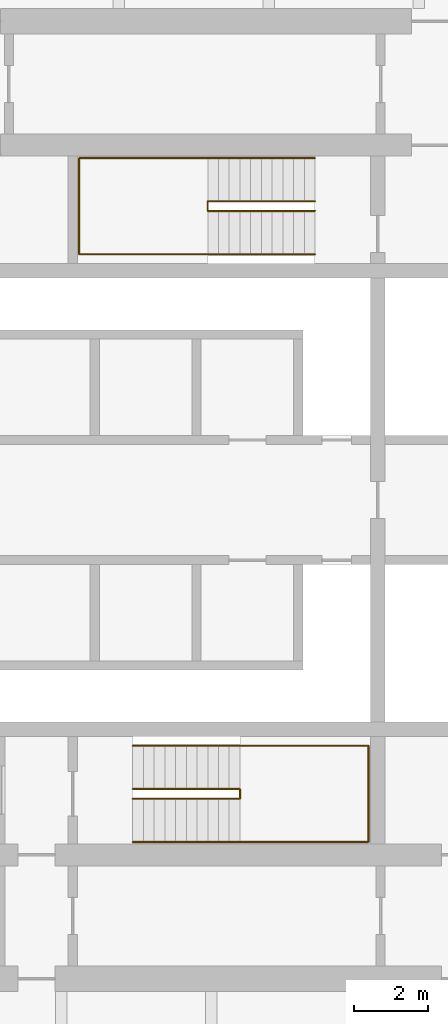
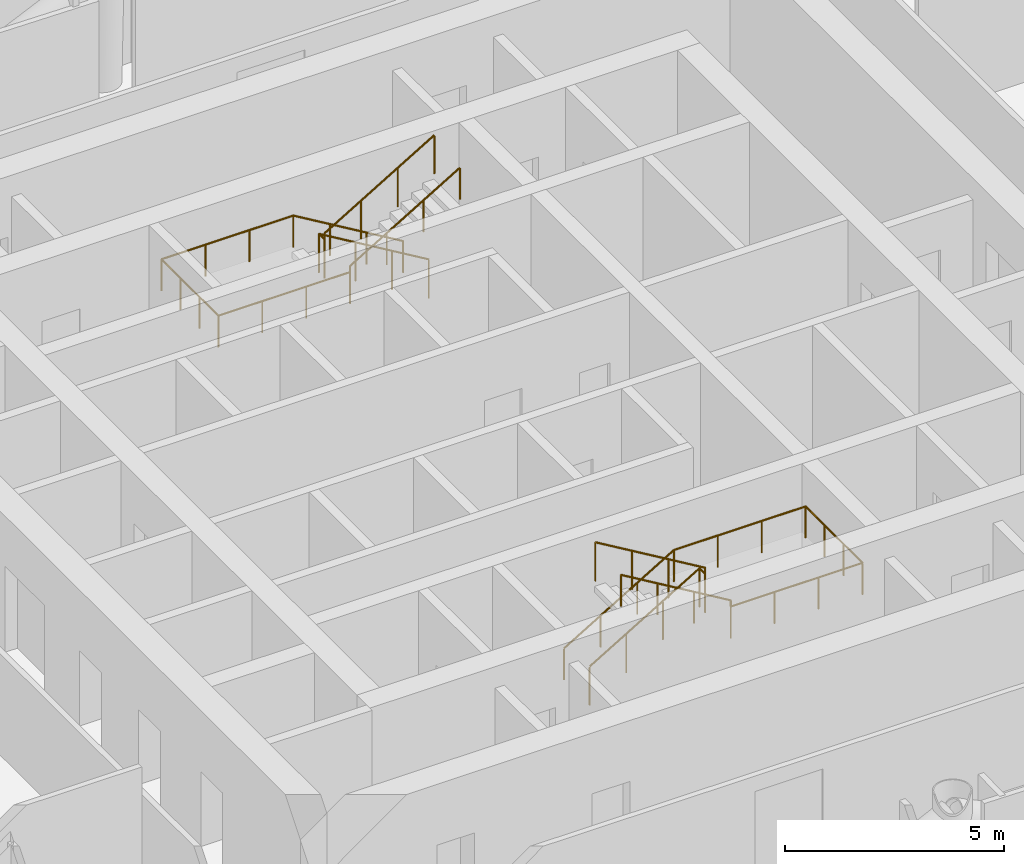
# One storey, part 9 of 9: 4 railings.
"""IFC4 building model written with IfcOpenShell, lengths in metres."""

from ifc_helpers import new_model, si_unit, direction, frame, origin, origin_2d, place, context, subcontext, project, spatial, circle, extrude, material, type_object, element, save


model = new_model("IFC4")

# Units and contexts
model_context = context("Model", 3, precision=1e-05, world=origin(), true_north=direction((0.0, 1.0)))
body_context = subcontext(model_context, "Body", "Model", "MODEL_VIEW")
ifc_project = project(units=[si_unit("LENGTHUNIT", "METRE"), si_unit("AREAUNIT", "SQUARE_METRE"), si_unit("VOLUMEUNIT", "CUBIC_METRE"), si_unit("PLANEANGLEUNIT", "RADIAN"), si_unit("MASSUNIT", "GRAM", prefix="KILO")], contexts=[model_context])

# Site, building, storey
site_placement = place(None, origin())
site = spatial("IfcSite", under=ifc_project, at=site_placement, CompositionType="ELEMENT")
building_placement = place(site_placement, origin())
building = spatial("IfcBuilding", under=site, at=building_placement, Name="Ostroluk Exchange", CompositionType="ELEMENT")
storey_placement = place(building_placement, frame((0.0, 0.0, 161.60009765625)))
storey = spatial("IfcBuildingStorey", under=building, at=storey_placement, Name="L41", CompositionType="ELEMENT", Elevation=161.60009765625)

# Railings
ifc_material_1 = material(Name="Steel S355", Category="steel")
railing_type_1 = type_object("IfcRailingType", Name="Stair guard 1100", PredefinedType="GUARDRAIL", material=ifc_material_1)
railing_1_placement = place(storey_placement, frame((42.10009765625, 38.179931640625, 0.172607421875)))
element("IfcRailing", 1, at=railing_1_placement, inside=storey, type_object=railing_type_1, Name="Stair T1-S1 guard L41", PredefinedType="GUARDRAIL", context=body_context, shape_type="SweptSolid", body=[
    extrude(circle(Radius=0.02392578125, at=origin_2d()), frame((0.0, 0.0, 1.076171875), z_axis=(0.859141464434, 0.0, 0.511738159696), x_axis=(0.0, 1.0, 0.0)), (0.0, 0.0, 1.0), 3.375244140625),
    extrude(circle(Radius=0.02392578125, at=origin_2d()), frame((2.89990234375, 0.0, 2.80322265625), z_axis=(0.0, -1.0, 0.0), x_axis=(1.0, 0.0, 0.0)), (0.0, 0.0, 1.0), 0.260009765625),
    extrude(circle(Radius=0.02392578125, at=origin_2d()), frame((2.89990234375, -0.260009765625, 2.80322265625), z_axis=(0.0, 0.0, 1.0), x_axis=(1.0, 0.0, 0.0)), (0.0, 0.0, 1.0), 0.172607421875),
    extrude(circle(Radius=0.02392578125, at=origin_2d()), frame((2.89990234375, -0.260009765625, 2.97607421875), z_axis=(-0.859141464434, 0.0, 0.511738159696), x_axis=(0.0, -1.0, 0.0)), (0.0, 0.0, 1.0), 3.375244140625),
    extrude(circle(Radius=0.02099609375, at=origin_2d()), origin(), (0.0, 0.0, 1.0), 1.052001953125),
    extrude(circle(Radius=0.02099609375, at=origin_2d()), frame((0.966552734375, 0.0, 0.57568359375)), (0.0, 0.0, 1.0), 1.052001953125),
    extrude(circle(Radius=0.02099609375, at=origin_2d()), frame((1.933349609375, 0.0, 1.151611328125)), (0.0, 0.0, 1.0), 1.052001953125),
    extrude(circle(Radius=0.02099609375, at=origin_2d()), frame((2.89990234375, 0.0, 1.727294921875)), (0.0, 0.0, 1.0), 1.052001953125),
    extrude(circle(Radius=0.02099609375, at=origin_2d()), frame((2.89990234375, -0.260009765625, 1.727294921875)), (0.0, 0.0, 1.0), 1.052001953125),
    extrude(circle(Radius=0.02099609375, at=origin_2d()), frame((2.89990234375, -0.260009765625, 1.89990234375)), (0.0, 0.0, 1.0), 1.052001953125),
    extrude(circle(Radius=0.02099609375, at=origin_2d()), frame((1.933349609375, -0.260009765625, 2.4755859375)), (0.0, 0.0, 1.0), 1.052001953125),
    extrude(circle(Radius=0.02099609375, at=origin_2d()), frame((0.966552734375, -0.260009765625, 3.051513671875)), (0.0, 0.0, 1.0), 1.052001953125),
    extrude(circle(Radius=0.02099609375, at=origin_2d()), frame((0.0, -0.260009765625, 3.627197265625)), (0.0, 0.0, 1.0), 1.052001953125),
])
railing_2_placement = place(storey_placement, frame((47.030029296875, 54.080078125, 0.172607421875)))
element("IfcRailing", 2, at=railing_2_placement, inside=storey, type_object=railing_type_1, Name="Stair T1-S2 guard L41", PredefinedType="GUARDRAIL", context=body_context, shape_type="SweptSolid", body=[
    extrude(circle(Radius=0.02392578125, at=origin_2d()), frame((0.0, 0.0, 1.076171875), z_axis=(-0.859160404282, 0.0, 0.51170636083), x_axis=(0.0, -1.0, 0.0)), (0.0, 0.0, 1.0), 3.37548828125),
    extrude(circle(Radius=0.02392578125, at=origin_2d()), frame((-2.900146484375, 0.0, 2.80322265625), z_axis=(0.0, -1.0, 0.0), x_axis=(1.0, 0.0, 0.0)), (0.0, 0.0, 1.0), 0.260009765625),
    extrude(circle(Radius=0.02392578125, at=origin_2d()), frame((-2.900146484375, -0.260009765625, 2.80322265625), z_axis=(0.0, 0.0, 1.0), x_axis=(1.0, 0.0, 0.0)), (0.0, 0.0, 1.0), 0.172607421875),
    extrude(circle(Radius=0.02392578125, at=origin_2d()), frame((-2.900146484375, -0.260009765625, 2.97607421875), z_axis=(0.859160404282, 0.0, 0.51170636083), x_axis=(0.0, 1.0, 0.0)), (0.0, 0.0, 1.0), 3.37548828125),
    extrude(circle(Radius=0.02099609375, at=origin_2d()), origin(), (0.0, 0.0, 1.0), 1.052001953125),
    extrude(circle(Radius=0.02099609375, at=origin_2d()), frame((-0.966796875, 0.0, 0.57568359375)), (0.0, 0.0, 1.0), 1.052001953125),
    extrude(circle(Radius=0.02099609375, at=origin_2d()), frame((-1.933349609375, 0.0, 1.151611328125)), (0.0, 0.0, 1.0), 1.052001953125),
    extrude(circle(Radius=0.02099609375, at=origin_2d()), frame((-2.900146484375, 0.0, 1.727294921875)), (0.0, 0.0, 1.0), 1.052001953125),
    extrude(circle(Radius=0.02099609375, at=origin_2d()), frame((-2.900146484375, -0.260009765625, 1.727294921875)), (0.0, 0.0, 1.0), 1.052001953125),
    extrude(circle(Radius=0.02099609375, at=origin_2d()), frame((-2.900146484375, -0.260009765625, 1.89990234375)), (0.0, 0.0, 1.0), 1.052001953125),
    extrude(circle(Radius=0.02099609375, at=origin_2d()), frame((-1.933349609375, -0.260009765625, 2.4755859375)), (0.0, 0.0, 1.0), 1.052001953125),
    extrude(circle(Radius=0.02099609375, at=origin_2d()), frame((-0.966796875, -0.260009765625, 3.051513671875)), (0.0, 0.0, 1.0), 1.052001953125),
    extrude(circle(Radius=0.02099609375, at=origin_2d()), frame((0.0, -0.260009765625, 3.627197265625)), (0.0, 0.0, 1.0), 1.052001953125),
])
ifc_material_2 = material(Name="Stainless steel", Category="steel")
railing_type_2 = type_object("IfcRailingType", Name="Stair handrail 900", PredefinedType="HANDRAIL", material=ifc_material_2)
railing_3_placement = place(storey_placement, frame((42.10009765625, 39.35009765625, 0.172607421875)))
element("IfcRailing", 3, at=railing_3_placement, inside=storey, type_object=railing_type_2, Name="Stair T1-S1 handrail L41", PredefinedType="HANDRAIL", context=body_context, shape_type="SweptSolid", body=[
    extrude(circle(Radius=0.02392578125, at=origin_2d()), frame((0.0, 0.0, 0.8759765625), z_axis=(0.859141464434, 0.0, 0.511738159696), x_axis=(0.0, 1.0, 0.0)), (0.0, 0.0, 1.0), 3.375244140625),
    extrude(circle(Radius=0.02392578125, at=origin_2d()), frame((2.89990234375, 0.0, 2.60302734375), z_axis=(1.0, 0.0, 0.0), x_axis=(0.0, 1.0, 0.0)), (0.0, 0.0, 1.0), 3.47998046875),
    extrude(circle(Radius=0.02392578125, at=origin_2d()), frame((6.3798828125, 0.0, 2.60302734375), z_axis=(0.0, -1.0, 0.0), x_axis=(1.0, 0.0, 0.0)), (0.0, 0.0, 1.0), 2.60009765625),
    extrude(circle(Radius=0.02392578125, at=origin_2d()), frame((6.3798828125, -2.60009765625, 2.60302734375), z_axis=(-1.0, 0.0, 0.0), x_axis=(0.0, -1.0, 0.0)), (0.0, 0.0, 1.0), 3.47998046875),
    extrude(circle(Radius=0.02392578125, at=origin_2d()), frame((2.89990234375, -2.60009765625, 2.60302734375), z_axis=(0.0, 0.0, 1.0), x_axis=(1.0, 0.0, 0.0)), (0.0, 0.0, 1.0), 0.172607421875),
    extrude(circle(Radius=0.02392578125, at=origin_2d()), frame((2.89990234375, -2.60009765625, 2.77587890625), z_axis=(-0.859141464434, 0.0, 0.511738159696), x_axis=(0.0, -1.0, 0.0)), (0.0, 0.0, 1.0), 3.375244140625),
    extrude(circle(Radius=0.02099609375, at=origin_2d()), origin(), (0.0, 0.0, 1.0), 0.851806640625),
    extrude(circle(Radius=0.02099609375, at=origin_2d()), frame((0.966552734375, 0.0, 0.57568359375)), (0.0, 0.0, 1.0), 0.851806640625),
    extrude(circle(Radius=0.02099609375, at=origin_2d()), frame((1.933349609375, 0.0, 1.151611328125)), (0.0, 0.0, 1.0), 0.851806640625),
    extrude(circle(Radius=0.02099609375, at=origin_2d()), frame((2.89990234375, 0.0, 1.727294921875)), (0.0, 0.0, 1.0), 0.851806640625),
    extrude(circle(Radius=0.02099609375, at=origin_2d()), frame((4.059814453125, 0.0, 1.727294921875)), (0.0, 0.0, 1.0), 0.851806640625),
    extrude(circle(Radius=0.02099609375, at=origin_2d()), frame((5.219970703125, 0.0, 1.727294921875)), (0.0, 0.0, 1.0), 0.851806640625),
    extrude(circle(Radius=0.02099609375, at=origin_2d()), frame((6.3798828125, 0.0, 1.727294921875)), (0.0, 0.0, 1.0), 0.851806640625),
    extrude(circle(Radius=0.02099609375, at=origin_2d()), frame((6.3798828125, -0.86669921875, 1.727294921875)), (0.0, 0.0, 1.0), 0.851806640625),
    extrude(circle(Radius=0.02099609375, at=origin_2d()), frame((6.3798828125, -1.7333984375, 1.727294921875)), (0.0, 0.0, 1.0), 0.851806640625),
    extrude(circle(Radius=0.02099609375, at=origin_2d()), frame((6.3798828125, -2.60009765625, 1.727294921875)), (0.0, 0.0, 1.0), 0.851806640625),
    extrude(circle(Radius=0.02099609375, at=origin_2d()), frame((5.219970703125, -2.60009765625, 1.727294921875)), (0.0, 0.0, 1.0), 0.851806640625),
    extrude(circle(Radius=0.02099609375, at=origin_2d()), frame((4.059814453125, -2.60009765625, 1.727294921875)), (0.0, 0.0, 1.0), 0.851806640625),
    extrude(circle(Radius=0.02099609375, at=origin_2d()), frame((2.89990234375, -2.60009765625, 1.727294921875)), (0.0, 0.0, 1.0), 0.851806640625),
    extrude(circle(Radius=0.02099609375, at=origin_2d()), frame((2.89990234375, -2.60009765625, 1.89990234375)), (0.0, 0.0, 1.0), 0.851806640625),
    extrude(circle(Radius=0.02099609375, at=origin_2d()), frame((1.933349609375, -2.60009765625, 2.4755859375)), (0.0, 0.0, 1.0), 0.851806640625),
    extrude(circle(Radius=0.02099609375, at=origin_2d()), frame((0.966552734375, -2.60009765625, 3.051513671875)), (0.0, 0.0, 1.0), 0.851806640625),
    extrude(circle(Radius=0.02099609375, at=origin_2d()), frame((0.0, -2.60009765625, 3.627197265625)), (0.0, 0.0, 1.0), 0.851806640625),
])
railing_4_placement = place(storey_placement, frame((47.030029296875, 55.25, 0.172607421875)))
element("IfcRailing", 4, at=railing_4_placement, inside=storey, type_object=railing_type_2, Name="Stair T1-S2 handrail L41", PredefinedType="HANDRAIL", context=body_context, shape_type="SweptSolid", body=[
    extrude(circle(Radius=0.02392578125, at=origin_2d()), frame((0.0, 0.0, 0.8759765625), z_axis=(-0.859160404282, 0.0, 0.51170636083), x_axis=(0.0, -1.0, 0.0)), (0.0, 0.0, 1.0), 3.37548828125),
    extrude(circle(Radius=0.02392578125, at=origin_2d()), frame((-2.900146484375, 0.0, 2.60302734375), z_axis=(-1.0, 0.0, 0.0), x_axis=(0.0, -1.0, 0.0)), (0.0, 0.0, 1.0), 3.47998046875),
    extrude(circle(Radius=0.02392578125, at=origin_2d()), frame((-6.380126953125, 0.0, 2.60302734375), z_axis=(0.0, -1.0, 0.0), x_axis=(1.0, 0.0, 0.0)), (0.0, 0.0, 1.0), 2.60009765625),
    extrude(circle(Radius=0.02392578125, at=origin_2d()), frame((-6.380126953125, -2.60009765625, 2.60302734375), z_axis=(1.0, 0.0, 0.0), x_axis=(0.0, 1.0, 0.0)), (0.0, 0.0, 1.0), 3.47998046875),
    extrude(circle(Radius=0.02392578125, at=origin_2d()), frame((-2.900146484375, -2.60009765625, 2.60302734375), z_axis=(0.0, 0.0, 1.0), x_axis=(1.0, 0.0, 0.0)), (0.0, 0.0, 1.0), 0.172607421875),
    extrude(circle(Radius=0.02392578125, at=origin_2d()), frame((-2.900146484375, -2.60009765625, 2.77587890625), z_axis=(0.859160404282, 0.0, 0.51170636083), x_axis=(0.0, 1.0, 0.0)), (0.0, 0.0, 1.0), 3.37548828125),
    extrude(circle(Radius=0.02099609375, at=origin_2d()), origin(), (0.0, 0.0, 1.0), 0.851806640625),
    extrude(circle(Radius=0.02099609375, at=origin_2d()), frame((-0.966796875, 0.0, 0.57568359375)), (0.0, 0.0, 1.0), 0.851806640625),
    extrude(circle(Radius=0.02099609375, at=origin_2d()), frame((-1.933349609375, 0.0, 1.151611328125)), (0.0, 0.0, 1.0), 0.851806640625),
    extrude(circle(Radius=0.02099609375, at=origin_2d()), frame((-2.900146484375, 0.0, 1.727294921875)), (0.0, 0.0, 1.0), 0.851806640625),
    extrude(circle(Radius=0.02099609375, at=origin_2d()), frame((-4.06005859375, 0.0, 1.727294921875)), (0.0, 0.0, 1.0), 0.851806640625),
    extrude(circle(Radius=0.02099609375, at=origin_2d()), frame((-5.22021484375, 0.0, 1.727294921875)), (0.0, 0.0, 1.0), 0.851806640625),
    extrude(circle(Radius=0.02099609375, at=origin_2d()), frame((-6.380126953125, 0.0, 1.727294921875)), (0.0, 0.0, 1.0), 0.851806640625),
    extrude(circle(Radius=0.02099609375, at=origin_2d()), frame((-6.380126953125, -0.86669921875, 1.727294921875)), (0.0, 0.0, 1.0), 0.851806640625),
    extrude(circle(Radius=0.02099609375, at=origin_2d()), frame((-6.380126953125, -1.7333984375, 1.727294921875)), (0.0, 0.0, 1.0), 0.851806640625),
    extrude(circle(Radius=0.02099609375, at=origin_2d()), frame((-6.380126953125, -2.60009765625, 1.727294921875)), (0.0, 0.0, 1.0), 0.851806640625),
    extrude(circle(Radius=0.02099609375, at=origin_2d()), frame((-5.22021484375, -2.60009765625, 1.727294921875)), (0.0, 0.0, 1.0), 0.851806640625),
    extrude(circle(Radius=0.02099609375, at=origin_2d()), frame((-4.06005859375, -2.60009765625, 1.727294921875)), (0.0, 0.0, 1.0), 0.851806640625),
    extrude(circle(Radius=0.02099609375, at=origin_2d()), frame((-2.900146484375, -2.60009765625, 1.727294921875)), (0.0, 0.0, 1.0), 0.851806640625),
    extrude(circle(Radius=0.02099609375, at=origin_2d()), frame((-2.900146484375, -2.60009765625, 1.89990234375)), (0.0, 0.0, 1.0), 0.851806640625),
    extrude(circle(Radius=0.02099609375, at=origin_2d()), frame((-1.933349609375, -2.60009765625, 2.4755859375)), (0.0, 0.0, 1.0), 0.851806640625),
    extrude(circle(Radius=0.02099609375, at=origin_2d()), frame((-0.966796875, -2.60009765625, 3.051513671875)), (0.0, 0.0, 1.0), 0.851806640625),
    extrude(circle(Radius=0.02099609375, at=origin_2d()), frame((0.0, -2.60009765625, 3.627197265625)), (0.0, 0.0, 1.0), 0.851806640625),
])

save(model, "model.ifc")
